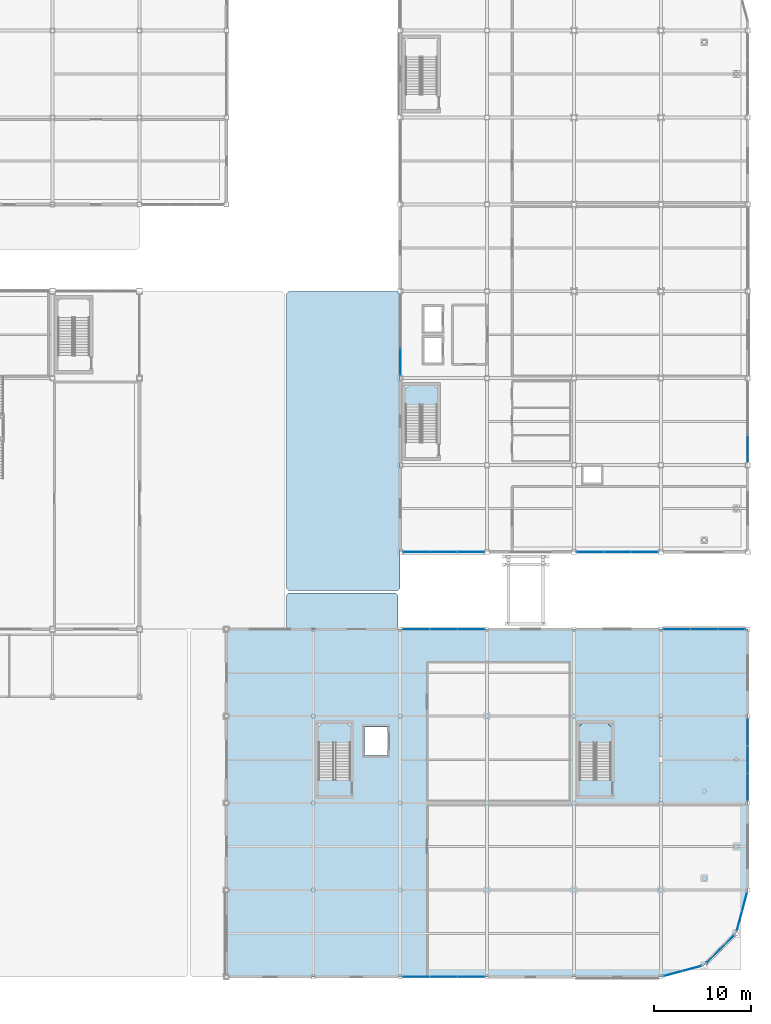
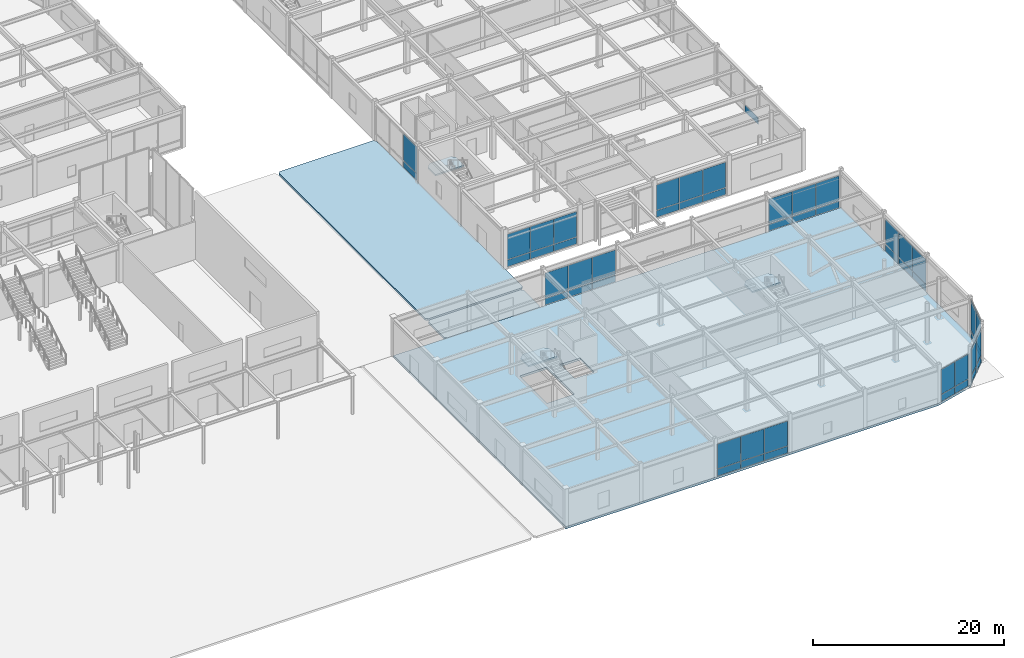
# One storey, part 69 of 123: 51 plates, 6 slabs, 14 elements without a shape of their own.
"""IFC4 building model written with IfcOpenShell, lengths in metres."""

from ifc_helpers import new_model, si_unit, direction, frame, origin, origin_2d, place, context, subcontext, project, spatial, polyline, rectangle, outline, extrude, material, layer, layer_set, type_object, element, aggregate, save


model = new_model("IFC4")

# Units and contexts
model_context = context("Model", 3, precision=1e-05, world=origin(), true_north=direction((0.0, 1.0)))
body_context = subcontext(model_context, "Body", "Model", "MODEL_VIEW")
ifc_project = project(units=[si_unit("LENGTHUNIT", "METRE"), si_unit("AREAUNIT", "SQUARE_METRE"), si_unit("VOLUMEUNIT", "CUBIC_METRE"), si_unit("PLANEANGLEUNIT", "RADIAN"), si_unit("MASSUNIT", "GRAM", prefix="KILO")], contexts=[model_context])

# Site, building, storey
site_placement = place(None, origin())
site = spatial("IfcSite", under=ifc_project, at=site_placement, CompositionType="ELEMENT")
building_placement = place(site_placement, origin())
building = spatial("IfcBuilding", under=site, at=building_placement, Name="Suzunagisa Mobility Hub", CompositionType="ELEMENT")
storey_placement = place(building_placement, origin())
storey = spatial("IfcBuildingStorey", under=building, at=storey_placement, Name="L00", CompositionType="ELEMENT", Elevation=0.0)

# Slabs
ifc_material_1 = material(Name="Concrete C35/45", Category="concrete")
ifc_layer_1 = layer(ifc_material_1, 0.2451171875)
ifc_layer_set_1 = layer_set([ifc_layer_1], Name="Concrete C35/45")
slab_type_1 = type_object("IfcSlabType", Name="Composite Slab SL-07 245mm", PredefinedType="FLOOR", material=ifc_layer_set_1)
slab_1_placement = place(storey_placement, frame((0.0, 0.0, -0.2451171875)))
element("IfcSlab", 1, at=slab_1_placement, inside=storey, type_object=slab_type_1, Name="L00 V6S North Exit Threshold Apron", PredefinedType="FLOOR", context=body_context, shape_type="SweptSolid", body=[
    extrude(outline(polyline([(132.489990234375, 36.0), (143.510009765625, 36.0), (143.760009765625, 36.25), (143.760009765625, 39.510009765625), (143.510009765625, 39.760009765625), (132.489990234375, 39.760009765625), (132.239990234375, 39.510009765625), (132.239990234375, 36.25), (132.489990234375, 36.0)])), origin(), (0.0, 0.0, 1.0), 0.2451171875),
])
slab_2_placement = place(storey_placement, frame((0.0, 0.0, -0.2451171875)))
element("IfcSlab", 2, at=slab_2_placement, inside=storey, type_object=slab_type_1, Name="L00 V6N West Square Threshold Apron", PredefinedType="FLOOR", context=body_context, shape_type="SweptSolid", body=[
    extrude(outline(polyline([(132.489990234375, 40.0), (143.75, 40.0), (144.0, 40.25), (144.0, 70.75), (143.75, 71.0), (132.489990234375, 71.0), (132.239990234375, 70.75), (132.239990234375, 40.25), (132.489990234375, 40.0)])), origin(), (0.0, 0.0, 1.0), 0.2451171875),
])
ifc_layer_2 = layer(ifc_material_1, 0.280029296875)
ifc_layer_set_2 = layer_set([ifc_layer_2], Name="Concrete C35/45")
slab_type_2 = type_object("IfcSlabType", Name="Composite Slab SL-10 280mm", PredefinedType="FLOOR", material=ifc_layer_set_2)
slab_3_placement = place(storey_placement, frame((0.0, 0.0, -0.280029296875)))
element("IfcSlab", 3, at=slab_3_placement, inside=storey, type_object=slab_type_2, Name="L00 V6S Floor Slab", PredefinedType="FLOOR", context=body_context, shape_type="SweptSolid", body=[
    extrude(outline(polyline([(126.0, 0.0), (171.0, 0.0), (175.5, 1.205810546875), (178.794189453125, 4.5), (180.0, 9.0), (180.0, 36.0), (126.0, 36.0), (126.0, 0.0)]), holes=[polyline([(135.56005859375, 20.47998046875), (138.840087890625, 20.47998046875), (138.840087890625, 26.199951171875), (135.56005859375, 26.199951171875), (135.56005859375, 20.47998046875)]), polyline([(140.320068359375, 22.919921875), (142.679931640625, 22.919921875), (142.679931640625, 25.8798828125), (140.320068359375, 25.8798828125), (140.320068359375, 22.919921875)])]), origin(), (0.0, 0.0, 1.0), 0.280029296875),
])

# Stair, slab
stair_type_1 = type_object("IfcStairType", Name="Dog-Leg Core Escape Stair ST-09 W1560", PredefinedType="HALF_TURN_STAIR", material=ifc_material_1)
stair_1_placement = place(storey_placement, origin())
stair_1 = element("IfcStair", 4, at=stair_1_placement, inside=storey, type_object=stair_type_1, Name="L00 Core C7 Escape Stair ST-09", PredefinedType="HALF_TURN_STAIR")
ifc_layer_3 = layer(ifc_material_1, 0.199951171875)
ifc_layer_set_3 = layer_set([ifc_layer_3], Name="Concrete C35/45")
slab_type_3 = type_object("IfcSlabType", Name="Core Stair Half-Landing Slab SL-SLND", PredefinedType="LANDING", material=ifc_layer_set_3)
slab_4_placement = place(storey_placement, frame((0.0, 0.0, 2.35009765625)))
slab_4 = element("IfcSlab", 5, at=slab_4_placement, type_object=slab_type_3, Name="ST-09 landing 1", PredefinedType="LANDING", context=body_context, shape_type="SweptSolid", body=[
    extrude(outline(polyline([(135.4599609375, 24.199951171875), (138.93994140625, 24.199951171875), (138.93994140625, 25.820068359375), (138.4599609375, 26.300048828125), (135.93994140625, 26.300048828125), (135.4599609375, 25.820068359375), (135.4599609375, 24.199951171875)])), origin(), (0.0, 0.0, 1.0), 0.199951171875),
])
aggregate(stair_1, [slab_4])

stair_type_2 = type_object("IfcStairType", Name="Dog-Leg Core Escape Stair ST-10 W1560", PredefinedType="HALF_TURN_STAIR", material=ifc_material_1)
stair_2_placement = place(storey_placement, origin())
stair_2 = element("IfcStair", 6, at=stair_2_placement, inside=storey, type_object=stair_type_2, Name="L00 Core C7B Escape Stair ST-10", PredefinedType="HALF_TURN_STAIR")
slab_5_placement = place(storey_placement, frame((0.0, 0.0, 2.35009765625)))
slab_5 = element("IfcSlab", 7, at=slab_5_placement, type_object=slab_type_3, Name="ST-10 landing 1", PredefinedType="LANDING", context=body_context, shape_type="SweptSolid", body=[
    extrude(outline(polyline([(162.4599609375, 24.199951171875), (165.93994140625, 24.199951171875), (165.93994140625, 25.820068359375), (165.4599609375, 26.300048828125), (162.93994140625, 26.300048828125), (162.4599609375, 25.820068359375), (162.4599609375, 24.199951171875)])), origin(), (0.0, 0.0, 1.0), 0.199951171875),
])
aggregate(stair_2, [slab_5])

stair_type_3 = type_object("IfcStairType", Name="Dog-Leg Core Escape Stair ST-11 W1560", PredefinedType="HALF_TURN_STAIR", material=ifc_material_1)
stair_3_placement = place(storey_placement, origin())
stair_3 = element("IfcStair", 8, at=stair_3_placement, inside=storey, type_object=stair_type_3, Name="L00 Core C5 Escape Stair ST-11", PredefinedType="HALF_TURN_STAIR")
slab_6_placement = place(storey_placement, frame((0.0, 0.0, 2.35009765625)))
slab_6 = element("IfcSlab", 9, at=slab_6_placement, type_object=slab_type_3, Name="ST-11 landing 1", PredefinedType="LANDING", context=body_context, shape_type="SweptSolid", body=[
    extrude(outline(polyline([(144.4599609375, 59.199951171875), (147.93994140625, 59.199951171875), (147.93994140625, 60.820068359375), (147.4599609375, 61.300048828125), (144.93994140625, 61.300048828125), (144.4599609375, 60.820068359375), (144.4599609375, 59.199951171875)])), origin(), (0.0, 0.0, 1.0), 0.199951171875),
])
aggregate(stair_3, [slab_6])

# Curtain wall, plates
ifc_material_2 = material(Name="Thermally Broken Anodized Aluminum and Low-E Glazing", Category="aluminium")
curtain_wall_type_1 = type_object("IfcCurtainWallType", Name="Unitised Curtain Wall CW-32 8500x4200", PredefinedType="USERDEFINED", material=ifc_material_2)
curtain_wall_1_placement = place(storey_placement, origin())
curtain_wall_1 = element("IfcCurtainWall", 10, at=curtain_wall_1_placement, inside=storey, type_object=curtain_wall_type_1, Name="L00 Unitised Curtain Wall CW-142", ObjectType="UNITISED CURTAIN WALL", PredefinedType="USERDEFINED")
ifc_material_3 = material(Name="Low-E Solar-Control Double Glazing", Category="glass")
ifc_layer_4 = layer(ifc_material_3, 0.028076171875)
ifc_layer_set_4 = layer_set([ifc_layer_4], Name="Low-E Solar-Control Double Glazing")
plate_type = type_object("IfcPlateType", Name="Low-E Double Glazed Curtain Panel GP-01 28mm", PredefinedType="CURTAIN_PANEL", material=ifc_layer_set_4)
plate_1_placement = place(storey_placement, frame((145.649658203125, 0.0, 0.06298828125), z_axis=(0.0, 0.0, 1.0), x_axis=(1.0, 0.0, 0.0)))
plate_1 = element("IfcPlate", 11, at=plate_1_placement, type_object=plate_type, Name="Curtain Wall Glazing Panel 142-P1.1", PredefinedType="CURTAIN_PANEL", context=body_context, shape_type="SweptSolid", body=[
    extrude(rectangle(XDim=2.773193359375, YDim=0.028076171875, at=origin_2d()), origin(), (0.0, 0.0, 1.0), 0.8564453125),
])
plate_2_placement = place(storey_placement, frame((145.649658203125, 0.0, 0.98046875), z_axis=(0.0, 0.0, 1.0), x_axis=(1.0, 0.0, 0.0)))
plate_2 = element("IfcPlate", 12, at=plate_2_placement, type_object=plate_type, Name="Curtain Wall Glazing Panel 142-P1.2", PredefinedType="CURTAIN_PANEL", context=body_context, shape_type="SweptSolid", body=[
    extrude(rectangle(XDim=2.773193359375, YDim=0.028076171875, at=origin_2d()), origin(), (0.0, 0.0, 1.0), 3.146484375),
])
plate_3_placement = place(storey_placement, frame((148.5, 0.0, 0.06298828125), z_axis=(0.0, 0.0, 1.0), x_axis=(1.0, 0.0, 0.0)))
plate_3 = element("IfcPlate", 13, at=plate_3_placement, type_object=plate_type, Name="Curtain Wall Glazing Panel 142-P2.1", PredefinedType="CURTAIN_PANEL", context=body_context, shape_type="SweptSolid", body=[
    extrude(rectangle(XDim=2.8056640625, YDim=0.028076171875, at=origin_2d()), origin(), (0.0, 0.0, 1.0), 0.8564453125),
])
plate_4_placement = place(storey_placement, frame((148.5, 0.0, 0.98046875), z_axis=(0.0, 0.0, 1.0), x_axis=(1.0, 0.0, 0.0)))
plate_4 = element("IfcPlate", 14, at=plate_4_placement, type_object=plate_type, Name="Curtain Wall Glazing Panel 142-P2.2", PredefinedType="CURTAIN_PANEL", context=body_context, shape_type="SweptSolid", body=[
    extrude(rectangle(XDim=2.8056640625, YDim=0.028076171875, at=origin_2d()), origin(), (0.0, 0.0, 1.0), 3.146484375),
])
plate_5_placement = place(storey_placement, frame((151.350341796875, 0.0, 0.06298828125), z_axis=(0.0, 0.0, 1.0), x_axis=(1.0, 0.0, 0.0)))
plate_5 = element("IfcPlate", 15, at=plate_5_placement, type_object=plate_type, Name="Curtain Wall Glazing Panel 142-P3.1", PredefinedType="CURTAIN_PANEL", context=body_context, shape_type="SweptSolid", body=[
    extrude(rectangle(XDim=2.773193359375, YDim=0.028076171875, at=origin_2d()), origin(), (0.0, 0.0, 1.0), 0.8564453125),
])
plate_6_placement = place(storey_placement, frame((151.350341796875, 0.0, 0.98046875), z_axis=(0.0, 0.0, 1.0), x_axis=(1.0, 0.0, 0.0)))
plate_6 = element("IfcPlate", 16, at=plate_6_placement, type_object=plate_type, Name="Curtain Wall Glazing Panel 142-P3.2", PredefinedType="CURTAIN_PANEL", context=body_context, shape_type="SweptSolid", body=[
    extrude(rectangle(XDim=2.773193359375, YDim=0.028076171875, at=origin_2d()), origin(), (0.0, 0.0, 1.0), 3.146484375),
])
aggregate(curtain_wall_1, [plate_1, plate_2, plate_3, plate_4, plate_5, plate_6])

curtain_wall_type_2 = type_object("IfcCurtainWallType", Name="Unitised Curtain Wall CW-37 4250x4200", PredefinedType="USERDEFINED", material=ifc_material_2)
curtain_wall_2_placement = place(storey_placement, origin())
curtain_wall_2 = element("IfcCurtainWall", 17, at=curtain_wall_2_placement, inside=storey, type_object=curtain_wall_type_2, Name="L00 Unitised Curtain Wall CW-143", ObjectType="UNITISED CURTAIN WALL", PredefinedType="USERDEFINED")
plate_7_placement = place(storey_placement, frame((172.25048828125, 0.335205078125, 0.05810546875), z_axis=(0.0, 0.0, 1.0), x_axis=(0.965927103862, 0.258814277087, 0.0)))
plate_7 = element("IfcPlate", 18, at=plate_7_placement, type_object=plate_type, Name="Curtain Wall Glazing Panel 143-P1.1", PredefinedType="CURTAIN_PANEL", context=body_context, shape_type="SweptSolid", body=[
    extrude(rectangle(XDim=1.973388671875, YDim=0.028076171875, at=origin_2d()), origin(), (0.0, 0.0, 1.0), 0.864013671875),
])
plate_8_placement = place(storey_placement, frame((172.25048828125, 0.335205078125, 0.97802734375), z_axis=(0.0, 0.0, 1.0), x_axis=(0.965927103862, 0.258814277087, 0.0)))
plate_8 = element("IfcPlate", 19, at=plate_8_placement, type_object=plate_type, Name="Curtain Wall Glazing Panel 143-P1.2", PredefinedType="CURTAIN_PANEL", context=body_context, shape_type="SweptSolid", body=[
    extrude(rectangle(XDim=1.973388671875, YDim=0.028076171875, at=origin_2d()), origin(), (0.0, 0.0, 1.0), 3.154052734375),
])
plate_9_placement = place(storey_placement, frame((174.2158203125, 0.86181640625, 0.05810546875), z_axis=(0.0, 0.0, 1.0), x_axis=(0.965927103862, 0.258814277087, 0.0)))
plate_9 = element("IfcPlate", 20, at=plate_9_placement, type_object=plate_type, Name="Curtain Wall Glazing Panel 143-P2.1", PredefinedType="CURTAIN_PANEL", context=body_context, shape_type="SweptSolid", body=[
    extrude(rectangle(XDim=1.973388671875, YDim=0.028076171875, at=origin_2d()), origin(), (0.0, 0.0, 1.0), 0.864013671875),
])
plate_10_placement = place(storey_placement, frame((174.2158203125, 0.86181640625, 0.97802734375), z_axis=(0.0, 0.0, 1.0), x_axis=(0.965927103862, 0.258814277087, 0.0)))
plate_10 = element("IfcPlate", 21, at=plate_10_placement, type_object=plate_type, Name="Curtain Wall Glazing Panel 143-P2.2", PredefinedType="CURTAIN_PANEL", context=body_context, shape_type="SweptSolid", body=[
    extrude(rectangle(XDim=1.973388671875, YDim=0.028076171875, at=origin_2d()), origin(), (0.0, 0.0, 1.0), 3.154052734375),
])
aggregate(curtain_wall_2, [plate_7, plate_8, plate_9, plate_10])

curtain_wall_type_3 = type_object("IfcCurtainWallType", Name="Unitised Curtain Wall CW-26 4000x4400", PredefinedType="USERDEFINED", material=ifc_material_2)
curtain_wall_3_placement = place(storey_placement, origin())
curtain_wall_3 = element("IfcCurtainWall", 22, at=curtain_wall_3_placement, inside=storey, type_object=curtain_wall_type_3, Name="L00 Unitised Curtain Wall CW-144", ObjectType="UNITISED CURTAIN WALL", PredefinedType="USERDEFINED")
plate_11_placement = place(storey_placement, frame((176.449462890625, 2.1552734375, 0.05810546875), z_axis=(0.0, 0.0, 1.0), x_axis=(0.707106781187, 0.707106781187, 0.0)))
plate_11 = element("IfcPlate", 23, at=plate_11_placement, type_object=plate_type, Name="Curtain Wall Glazing Panel 144-P1.1", PredefinedType="CURTAIN_PANEL", context=body_context, shape_type="SweptSolid", body=[
    extrude(rectangle(XDim=1.91259765625, YDim=0.028076171875, at=origin_2d()), origin(), (0.0, 0.0, 1.0), 0.864013671875),
])
plate_12_placement = place(storey_placement, frame((176.449462890625, 2.1552734375, 0.97802734375), z_axis=(0.0, 0.0, 1.0), x_axis=(0.707106781187, 0.707106781187, 0.0)))
plate_12 = element("IfcPlate", 24, at=plate_12_placement, type_object=plate_type, Name="Curtain Wall Glazing Panel 144-P1.2", PredefinedType="CURTAIN_PANEL", context=body_context, shape_type="SweptSolid", body=[
    extrude(rectangle(XDim=1.91259765625, YDim=0.028076171875, at=origin_2d()), origin(), (0.0, 0.0, 1.0), 3.404052734375),
])
plate_13_placement = place(storey_placement, frame((177.844970703125, 3.55078125, 0.05810546875), z_axis=(0.0, 0.0, 1.0), x_axis=(0.707106781187, 0.707106781187, 0.0)))
plate_13 = element("IfcPlate", 25, at=plate_13_placement, type_object=plate_type, Name="Curtain Wall Glazing Panel 144-P2.1", PredefinedType="CURTAIN_PANEL", context=body_context, shape_type="SweptSolid", body=[
    extrude(rectangle(XDim=1.91259765625, YDim=0.028076171875, at=origin_2d()), origin(), (0.0, 0.0, 1.0), 0.864013671875),
])
plate_14_placement = place(storey_placement, frame((177.844970703125, 3.55078125, 0.97802734375), z_axis=(0.0, 0.0, 1.0), x_axis=(0.707106781187, 0.707106781187, 0.0)))
plate_14 = element("IfcPlate", 26, at=plate_14_placement, type_object=plate_type, Name="Curtain Wall Glazing Panel 144-P2.2", PredefinedType="CURTAIN_PANEL", context=body_context, shape_type="SweptSolid", body=[
    extrude(rectangle(XDim=1.91259765625, YDim=0.028076171875, at=origin_2d()), origin(), (0.0, 0.0, 1.0), 3.404052734375),
])
aggregate(curtain_wall_3, [plate_11, plate_12, plate_13, plate_14])

curtain_wall_type_4 = type_object("IfcCurtainWallType", Name="Unitised Curtain Wall CW-46 4250x4800", PredefinedType="USERDEFINED", material=ifc_material_2)
curtain_wall_4_placement = place(storey_placement, origin())
curtain_wall_4 = element("IfcCurtainWall", 27, at=curtain_wall_4_placement, inside=storey, type_object=curtain_wall_type_4, Name="L00 Unitised Curtain Wall CW-145", ObjectType="UNITISED CURTAIN WALL", PredefinedType="USERDEFINED")
plate_15_placement = place(storey_placement, frame((179.138427734375, 5.7841796875, 0.05810546875), z_axis=(0.0, 0.0, 1.0), x_axis=(0.258814277087, 0.965927103862, 0.0)))
plate_15 = element("IfcPlate", 28, at=plate_15_placement, type_object=plate_type, Name="Curtain Wall Glazing Panel 145-P1.1", PredefinedType="CURTAIN_PANEL", context=body_context, shape_type="SweptSolid", body=[
    extrude(rectangle(XDim=1.973388671875, YDim=0.028076171875, at=origin_2d()), origin(), (0.0, 0.0, 1.0), 0.864013671875),
])
plate_16_placement = place(storey_placement, frame((179.138427734375, 5.7841796875, 0.97802734375), z_axis=(0.0, 0.0, 1.0), x_axis=(0.258814277087, 0.965927103862, 0.0)))
plate_16 = element("IfcPlate", 29, at=plate_16_placement, type_object=plate_type, Name="Curtain Wall Glazing Panel 145-P1.2", PredefinedType="CURTAIN_PANEL", context=body_context, shape_type="SweptSolid", body=[
    extrude(rectangle(XDim=1.973388671875, YDim=0.028076171875, at=origin_2d()), origin(), (0.0, 0.0, 1.0), 3.803955078125),
])
plate_17_placement = place(storey_placement, frame((179.6650390625, 7.74951171875, 0.05810546875), z_axis=(0.0, 0.0, 1.0), x_axis=(0.258814277087, 0.965927103862, 0.0)))
plate_17 = element("IfcPlate", 30, at=plate_17_placement, type_object=plate_type, Name="Curtain Wall Glazing Panel 145-P2.1", PredefinedType="CURTAIN_PANEL", context=body_context, shape_type="SweptSolid", body=[
    extrude(rectangle(XDim=1.973388671875, YDim=0.028076171875, at=origin_2d()), origin(), (0.0, 0.0, 1.0), 0.864013671875),
])
plate_18_placement = place(storey_placement, frame((179.6650390625, 7.74951171875, 0.97802734375), z_axis=(0.0, 0.0, 1.0), x_axis=(0.258814277087, 0.965927103862, 0.0)))
plate_18 = element("IfcPlate", 31, at=plate_18_placement, type_object=plate_type, Name="Curtain Wall Glazing Panel 145-P2.2", PredefinedType="CURTAIN_PANEL", context=body_context, shape_type="SweptSolid", body=[
    extrude(rectangle(XDim=1.973388671875, YDim=0.028076171875, at=origin_2d()), origin(), (0.0, 0.0, 1.0), 3.803955078125),
])
aggregate(curtain_wall_4, [plate_15, plate_16, plate_17, plate_18])

curtain_wall_5_placement = place(storey_placement, origin())
curtain_wall_5 = element("IfcCurtainWall", 32, at=curtain_wall_5_placement, inside=storey, type_object=curtain_wall_type_1, Name="L00 Unitised Curtain Wall CW-146", ObjectType="UNITISED CURTAIN WALL", PredefinedType="USERDEFINED")
plate_19_placement = place(storey_placement, frame((180.0, 19.649658203125, 0.06298828125), z_axis=(0.0, 0.0, 1.0), x_axis=(0.0, 1.0, 0.0)))
plate_19 = element("IfcPlate", 33, at=plate_19_placement, type_object=plate_type, Name="Curtain Wall Glazing Panel 146-P1.1", PredefinedType="CURTAIN_PANEL", context=body_context, shape_type="SweptSolid", body=[
    extrude(rectangle(XDim=2.773193359375, YDim=0.028076171875, at=origin_2d()), origin(), (0.0, 0.0, 1.0), 0.8564453125),
])
plate_20_placement = place(storey_placement, frame((180.0, 19.649658203125, 0.98046875), z_axis=(0.0, 0.0, 1.0), x_axis=(0.0, 1.0, 0.0)))
plate_20 = element("IfcPlate", 34, at=plate_20_placement, type_object=plate_type, Name="Curtain Wall Glazing Panel 146-P1.2", PredefinedType="CURTAIN_PANEL", context=body_context, shape_type="SweptSolid", body=[
    extrude(rectangle(XDim=2.773193359375, YDim=0.028076171875, at=origin_2d()), origin(), (0.0, 0.0, 1.0), 3.146484375),
])
plate_21_placement = place(storey_placement, frame((180.0, 22.5, 0.06298828125), z_axis=(0.0, 0.0, 1.0), x_axis=(0.0, 1.0, 0.0)))
plate_21 = element("IfcPlate", 35, at=plate_21_placement, type_object=plate_type, Name="Curtain Wall Glazing Panel 146-P2.1", PredefinedType="CURTAIN_PANEL", context=body_context, shape_type="SweptSolid", body=[
    extrude(rectangle(XDim=2.8056640625, YDim=0.028076171875, at=origin_2d()), origin(), (0.0, 0.0, 1.0), 0.8564453125),
])
plate_22_placement = place(storey_placement, frame((180.0, 22.5, 0.98046875), z_axis=(0.0, 0.0, 1.0), x_axis=(0.0, 1.0, 0.0)))
plate_22 = element("IfcPlate", 36, at=plate_22_placement, type_object=plate_type, Name="Curtain Wall Glazing Panel 146-P2.2", PredefinedType="CURTAIN_PANEL", context=body_context, shape_type="SweptSolid", body=[
    extrude(rectangle(XDim=2.8056640625, YDim=0.028076171875, at=origin_2d()), origin(), (0.0, 0.0, 1.0), 3.146484375),
])
plate_23_placement = place(storey_placement, frame((180.0, 25.350341796875, 0.06298828125), z_axis=(0.0, 0.0, 1.0), x_axis=(0.0, 1.0, 0.0)))
plate_23 = element("IfcPlate", 37, at=plate_23_placement, type_object=plate_type, Name="Curtain Wall Glazing Panel 146-P3.1", PredefinedType="CURTAIN_PANEL", context=body_context, shape_type="SweptSolid", body=[
    extrude(rectangle(XDim=2.773193359375, YDim=0.028076171875, at=origin_2d()), origin(), (0.0, 0.0, 1.0), 0.8564453125),
])
plate_24_placement = place(storey_placement, frame((180.0, 25.350341796875, 0.98046875), z_axis=(0.0, 0.0, 1.0), x_axis=(0.0, 1.0, 0.0)))
plate_24 = element("IfcPlate", 38, at=plate_24_placement, type_object=plate_type, Name="Curtain Wall Glazing Panel 146-P3.2", PredefinedType="CURTAIN_PANEL", context=body_context, shape_type="SweptSolid", body=[
    extrude(rectangle(XDim=2.773193359375, YDim=0.028076171875, at=origin_2d()), origin(), (0.0, 0.0, 1.0), 3.146484375),
])
aggregate(curtain_wall_5, [plate_19, plate_20, plate_21, plate_22, plate_23, plate_24])

curtain_wall_6_placement = place(storey_placement, origin())
curtain_wall_6 = element("IfcCurtainWall", 39, at=curtain_wall_6_placement, inside=storey, type_object=curtain_wall_type_1, Name="L00 Unitised Curtain Wall CW-147", ObjectType="UNITISED CURTAIN WALL", PredefinedType="USERDEFINED")
plate_25_placement = place(storey_placement, frame((178.350341796875, 36.0, 0.06298828125), z_axis=(0.0, 0.0, 1.0), x_axis=(-1.0, 0.0, 0.0)))
plate_25 = element("IfcPlate", 40, at=plate_25_placement, type_object=plate_type, Name="Curtain Wall Glazing Panel 147-P1.1", PredefinedType="CURTAIN_PANEL", context=body_context, shape_type="SweptSolid", body=[
    extrude(rectangle(XDim=2.773193359375, YDim=0.028076171875, at=origin_2d()), origin(), (0.0, 0.0, 1.0), 0.8564453125),
])
plate_26_placement = place(storey_placement, frame((178.350341796875, 36.0, 0.98046875), z_axis=(0.0, 0.0, 1.0), x_axis=(-1.0, 0.0, 0.0)))
plate_26 = element("IfcPlate", 41, at=plate_26_placement, type_object=plate_type, Name="Curtain Wall Glazing Panel 147-P1.2", PredefinedType="CURTAIN_PANEL", context=body_context, shape_type="SweptSolid", body=[
    extrude(rectangle(XDim=2.773193359375, YDim=0.028076171875, at=origin_2d()), origin(), (0.0, 0.0, 1.0), 3.146484375),
])
plate_27_placement = place(storey_placement, frame((175.5, 36.0, 0.06298828125), z_axis=(0.0, 0.0, 1.0), x_axis=(-1.0, 0.0, 0.0)))
plate_27 = element("IfcPlate", 42, at=plate_27_placement, type_object=plate_type, Name="Curtain Wall Glazing Panel 147-P2.1", PredefinedType="CURTAIN_PANEL", context=body_context, shape_type="SweptSolid", body=[
    extrude(rectangle(XDim=2.8056640625, YDim=0.028076171875, at=origin_2d()), origin(), (0.0, 0.0, 1.0), 0.8564453125),
])
plate_28_placement = place(storey_placement, frame((175.5, 36.0, 0.98046875), z_axis=(0.0, 0.0, 1.0), x_axis=(-1.0, 0.0, 0.0)))
plate_28 = element("IfcPlate", 43, at=plate_28_placement, type_object=plate_type, Name="Curtain Wall Glazing Panel 147-P2.2", PredefinedType="CURTAIN_PANEL", context=body_context, shape_type="SweptSolid", body=[
    extrude(rectangle(XDim=2.8056640625, YDim=0.028076171875, at=origin_2d()), origin(), (0.0, 0.0, 1.0), 3.146484375),
])
plate_29_placement = place(storey_placement, frame((172.649658203125, 36.0, 0.06298828125), z_axis=(0.0, 0.0, 1.0), x_axis=(-1.0, 0.0, 0.0)))
plate_29 = element("IfcPlate", 44, at=plate_29_placement, type_object=plate_type, Name="Curtain Wall Glazing Panel 147-P3.1", PredefinedType="CURTAIN_PANEL", context=body_context, shape_type="SweptSolid", body=[
    extrude(rectangle(XDim=2.773193359375, YDim=0.028076171875, at=origin_2d()), origin(), (0.0, 0.0, 1.0), 0.8564453125),
])
plate_30_placement = place(storey_placement, frame((172.649658203125, 36.0, 0.98046875), z_axis=(0.0, 0.0, 1.0), x_axis=(-1.0, 0.0, 0.0)))
plate_30 = element("IfcPlate", 45, at=plate_30_placement, type_object=plate_type, Name="Curtain Wall Glazing Panel 147-P3.2", PredefinedType="CURTAIN_PANEL", context=body_context, shape_type="SweptSolid", body=[
    extrude(rectangle(XDim=2.773193359375, YDim=0.028076171875, at=origin_2d()), origin(), (0.0, 0.0, 1.0), 3.146484375),
])
aggregate(curtain_wall_6, [plate_25, plate_26, plate_27, plate_28, plate_29, plate_30])

curtain_wall_7_placement = place(storey_placement, origin())
curtain_wall_7 = element("IfcCurtainWall", 46, at=curtain_wall_7_placement, inside=storey, type_object=curtain_wall_type_1, Name="L00 Unitised Curtain Wall CW-148", ObjectType="UNITISED CURTAIN WALL", PredefinedType="USERDEFINED")
plate_31_placement = place(storey_placement, frame((151.350341796875, 36.0, 0.06298828125), z_axis=(0.0, 0.0, 1.0), x_axis=(-1.0, 0.0, 0.0)))
plate_31 = element("IfcPlate", 47, at=plate_31_placement, type_object=plate_type, Name="Curtain Wall Glazing Panel 148-P1.1", PredefinedType="CURTAIN_PANEL", context=body_context, shape_type="SweptSolid", body=[
    extrude(rectangle(XDim=2.773193359375, YDim=0.028076171875, at=origin_2d()), origin(), (0.0, 0.0, 1.0), 0.8564453125),
])
plate_32_placement = place(storey_placement, frame((151.350341796875, 36.0, 0.98046875), z_axis=(0.0, 0.0, 1.0), x_axis=(-1.0, 0.0, 0.0)))
plate_32 = element("IfcPlate", 48, at=plate_32_placement, type_object=plate_type, Name="Curtain Wall Glazing Panel 148-P1.2", PredefinedType="CURTAIN_PANEL", context=body_context, shape_type="SweptSolid", body=[
    extrude(rectangle(XDim=2.773193359375, YDim=0.028076171875, at=origin_2d()), origin(), (0.0, 0.0, 1.0), 3.146484375),
])
plate_33_placement = place(storey_placement, frame((148.5, 36.0, 0.06298828125), z_axis=(0.0, 0.0, 1.0), x_axis=(-1.0, 0.0, 0.0)))
plate_33 = element("IfcPlate", 49, at=plate_33_placement, type_object=plate_type, Name="Curtain Wall Glazing Panel 148-P2.1", PredefinedType="CURTAIN_PANEL", context=body_context, shape_type="SweptSolid", body=[
    extrude(rectangle(XDim=2.8056640625, YDim=0.028076171875, at=origin_2d()), origin(), (0.0, 0.0, 1.0), 0.8564453125),
])
plate_34_placement = place(storey_placement, frame((148.5, 36.0, 0.98046875), z_axis=(0.0, 0.0, 1.0), x_axis=(-1.0, 0.0, 0.0)))
plate_34 = element("IfcPlate", 50, at=plate_34_placement, type_object=plate_type, Name="Curtain Wall Glazing Panel 148-P2.2", PredefinedType="CURTAIN_PANEL", context=body_context, shape_type="SweptSolid", body=[
    extrude(rectangle(XDim=2.8056640625, YDim=0.028076171875, at=origin_2d()), origin(), (0.0, 0.0, 1.0), 3.146484375),
])
plate_35_placement = place(storey_placement, frame((145.649658203125, 36.0, 0.06298828125), z_axis=(0.0, 0.0, 1.0), x_axis=(-1.0, 0.0, 0.0)))
plate_35 = element("IfcPlate", 51, at=plate_35_placement, type_object=plate_type, Name="Curtain Wall Glazing Panel 148-P3.1", PredefinedType="CURTAIN_PANEL", context=body_context, shape_type="SweptSolid", body=[
    extrude(rectangle(XDim=2.773193359375, YDim=0.028076171875, at=origin_2d()), origin(), (0.0, 0.0, 1.0), 0.8564453125),
])
plate_36_placement = place(storey_placement, frame((145.649658203125, 36.0, 0.98046875), z_axis=(0.0, 0.0, 1.0), x_axis=(-1.0, 0.0, 0.0)))
plate_36 = element("IfcPlate", 52, at=plate_36_placement, type_object=plate_type, Name="Curtain Wall Glazing Panel 148-P3.2", PredefinedType="CURTAIN_PANEL", context=body_context, shape_type="SweptSolid", body=[
    extrude(rectangle(XDim=2.773193359375, YDim=0.028076171875, at=origin_2d()), origin(), (0.0, 0.0, 1.0), 3.146484375),
])
aggregate(curtain_wall_7, [plate_31, plate_32, plate_33, plate_34, plate_35, plate_36])

curtain_wall_type_5 = type_object("IfcCurtainWallType", Name="Unitised Curtain Wall CW-21 8500x4300", PredefinedType="USERDEFINED", material=ifc_material_2)
curtain_wall_8_placement = place(storey_placement, origin())
curtain_wall_8 = element("IfcCurtainWall", 53, at=curtain_wall_8_placement, inside=storey, type_object=curtain_wall_type_5, Name="L00 Unitised Curtain Wall CW-171", ObjectType="UNITISED CURTAIN WALL", PredefinedType="USERDEFINED")
plate_37_placement = place(storey_placement, frame((145.682861328125, 44.0, 0.06298828125), z_axis=(0.0, 0.0, 1.0), x_axis=(1.0, 0.0, 0.0)))
plate_37 = element("IfcPlate", 54, at=plate_37_placement, type_object=plate_type, Name="Curtain Wall Glazing Panel 171-P1.1", PredefinedType="CURTAIN_PANEL", context=body_context, shape_type="SweptSolid", body=[
    extrude(rectangle(XDim=2.73974609375, YDim=0.028076171875, at=origin_2d()), origin(), (0.0, 0.0, 1.0), 0.8564453125),
])
plate_38_placement = place(storey_placement, frame((145.682861328125, 44.0, 0.98046875), z_axis=(0.0, 0.0, 1.0), x_axis=(1.0, 0.0, 0.0)))
plate_38 = element("IfcPlate", 55, at=plate_38_placement, type_object=plate_type, Name="Curtain Wall Glazing Panel 171-P1.2", PredefinedType="CURTAIN_PANEL", context=body_context, shape_type="SweptSolid", body=[
    extrude(rectangle(XDim=2.73974609375, YDim=0.028076171875, at=origin_2d()), origin(), (0.0, 0.0, 1.0), 3.20849609375),
])
plate_39_placement = place(storey_placement, frame((148.5, 44.0, 0.06298828125), z_axis=(0.0, 0.0, 1.0), x_axis=(1.0, 0.0, 0.0)))
plate_39 = element("IfcPlate", 56, at=plate_39_placement, type_object=plate_type, Name="Curtain Wall Glazing Panel 171-P2.1", PredefinedType="CURTAIN_PANEL", context=body_context, shape_type="SweptSolid", body=[
    extrude(rectangle(XDim=2.7724609375, YDim=0.028076171875, at=origin_2d()), origin(), (0.0, 0.0, 1.0), 0.8564453125),
])
plate_40_placement = place(storey_placement, frame((148.5, 44.0, 0.98046875), z_axis=(0.0, 0.0, 1.0), x_axis=(1.0, 0.0, 0.0)))
plate_40 = element("IfcPlate", 57, at=plate_40_placement, type_object=plate_type, Name="Curtain Wall Glazing Panel 171-P2.2", PredefinedType="CURTAIN_PANEL", context=body_context, shape_type="SweptSolid", body=[
    extrude(rectangle(XDim=2.7724609375, YDim=0.028076171875, at=origin_2d()), origin(), (0.0, 0.0, 1.0), 3.20849609375),
])
plate_41_placement = place(storey_placement, frame((151.317138671875, 44.0, 0.06298828125), z_axis=(0.0, 0.0, 1.0), x_axis=(1.0, 0.0, 0.0)))
plate_41 = element("IfcPlate", 58, at=plate_41_placement, type_object=plate_type, Name="Curtain Wall Glazing Panel 171-P3.1", PredefinedType="CURTAIN_PANEL", context=body_context, shape_type="SweptSolid", body=[
    extrude(rectangle(XDim=2.73974609375, YDim=0.028076171875, at=origin_2d()), origin(), (0.0, 0.0, 1.0), 0.8564453125),
])
plate_42_placement = place(storey_placement, frame((151.317138671875, 44.0, 0.98046875), z_axis=(0.0, 0.0, 1.0), x_axis=(1.0, 0.0, 0.0)))
plate_42 = element("IfcPlate", 59, at=plate_42_placement, type_object=plate_type, Name="Curtain Wall Glazing Panel 171-P3.2", PredefinedType="CURTAIN_PANEL", context=body_context, shape_type="SweptSolid", body=[
    extrude(rectangle(XDim=2.73974609375, YDim=0.028076171875, at=origin_2d()), origin(), (0.0, 0.0, 1.0), 3.20849609375),
])
aggregate(curtain_wall_8, [plate_37, plate_38, plate_39, plate_40, plate_41, plate_42])

curtain_wall_9_placement = place(storey_placement, origin())
curtain_wall_9 = element("IfcCurtainWall", 60, at=curtain_wall_9_placement, inside=storey, type_object=curtain_wall_type_5, Name="L00 Unitised Curtain Wall CW-172", ObjectType="UNITISED CURTAIN WALL", PredefinedType="USERDEFINED")
plate_43_placement = place(storey_placement, frame((163.682861328125, 44.0, 0.06298828125), z_axis=(0.0, 0.0, 1.0), x_axis=(1.0, 0.0, 0.0)))
plate_43 = element("IfcPlate", 61, at=plate_43_placement, type_object=plate_type, Name="Curtain Wall Glazing Panel 172-P1.1", PredefinedType="CURTAIN_PANEL", context=body_context, shape_type="SweptSolid", body=[
    extrude(rectangle(XDim=2.73974609375, YDim=0.028076171875, at=origin_2d()), origin(), (0.0, 0.0, 1.0), 0.8564453125),
])
plate_44_placement = place(storey_placement, frame((163.682861328125, 44.0, 0.98046875), z_axis=(0.0, 0.0, 1.0), x_axis=(1.0, 0.0, 0.0)))
plate_44 = element("IfcPlate", 62, at=plate_44_placement, type_object=plate_type, Name="Curtain Wall Glazing Panel 172-P1.2", PredefinedType="CURTAIN_PANEL", context=body_context, shape_type="SweptSolid", body=[
    extrude(rectangle(XDim=2.73974609375, YDim=0.028076171875, at=origin_2d()), origin(), (0.0, 0.0, 1.0), 3.20849609375),
])
plate_45_placement = place(storey_placement, frame((166.5, 44.0, 0.06298828125), z_axis=(0.0, 0.0, 1.0), x_axis=(1.0, 0.0, 0.0)))
plate_45 = element("IfcPlate", 63, at=plate_45_placement, type_object=plate_type, Name="Curtain Wall Glazing Panel 172-P2.1", PredefinedType="CURTAIN_PANEL", context=body_context, shape_type="SweptSolid", body=[
    extrude(rectangle(XDim=2.7724609375, YDim=0.028076171875, at=origin_2d()), origin(), (0.0, 0.0, 1.0), 0.8564453125),
])
plate_46_placement = place(storey_placement, frame((166.5, 44.0, 0.98046875), z_axis=(0.0, 0.0, 1.0), x_axis=(1.0, 0.0, 0.0)))
plate_46 = element("IfcPlate", 64, at=plate_46_placement, type_object=plate_type, Name="Curtain Wall Glazing Panel 172-P2.2", PredefinedType="CURTAIN_PANEL", context=body_context, shape_type="SweptSolid", body=[
    extrude(rectangle(XDim=2.7724609375, YDim=0.028076171875, at=origin_2d()), origin(), (0.0, 0.0, 1.0), 3.20849609375),
])
plate_47_placement = place(storey_placement, frame((169.317138671875, 44.0, 0.06298828125), z_axis=(0.0, 0.0, 1.0), x_axis=(1.0, 0.0, 0.0)))
plate_47 = element("IfcPlate", 65, at=plate_47_placement, type_object=plate_type, Name="Curtain Wall Glazing Panel 172-P3.1", PredefinedType="CURTAIN_PANEL", context=body_context, shape_type="SweptSolid", body=[
    extrude(rectangle(XDim=2.73974609375, YDim=0.028076171875, at=origin_2d()), origin(), (0.0, 0.0, 1.0), 0.8564453125),
])
plate_48_placement = place(storey_placement, frame((169.317138671875, 44.0, 0.98046875), z_axis=(0.0, 0.0, 1.0), x_axis=(1.0, 0.0, 0.0)))
plate_48 = element("IfcPlate", 66, at=plate_48_placement, type_object=plate_type, Name="Curtain Wall Glazing Panel 172-P3.2", PredefinedType="CURTAIN_PANEL", context=body_context, shape_type="SweptSolid", body=[
    extrude(rectangle(XDim=2.73974609375, YDim=0.028076171875, at=origin_2d()), origin(), (0.0, 0.0, 1.0), 3.20849609375),
])
aggregate(curtain_wall_9, [plate_43, plate_44, plate_45, plate_46, plate_47, plate_48])

# Curtain wall, plate
curtain_wall_type_6 = type_object("IfcCurtainWallType", Name="Unitised Curtain Wall CW-47 8500x4400", PredefinedType="USERDEFINED", material=ifc_material_2)
curtain_wall_10_placement = place(storey_placement, origin())
curtain_wall_10 = element("IfcCurtainWall", 67, at=curtain_wall_10_placement, inside=storey, type_object=curtain_wall_type_6, Name="L00 Unitised Curtain Wall CW-173", ObjectType="UNITISED CURTAIN WALL", PredefinedType="USERDEFINED")
plate_49_placement = place(storey_placement, frame((180.0, 54.682861328125, 0.06298828125), z_axis=(0.0, 0.0, 1.0), x_axis=(0.0, 1.0, 0.0)))
plate_49 = element("IfcPlate", 68, at=plate_49_placement, type_object=plate_type, Name="Curtain Wall Glazing Panel 173-P1.1", PredefinedType="CURTAIN_PANEL", context=body_context, shape_type="SweptSolid", body=[
    extrude(rectangle(XDim=2.73974609375, YDim=0.028076171875, at=origin_2d()), origin(), (0.0, 0.0, 1.0), 0.8564453125),
])
aggregate(curtain_wall_10, [plate_49])

# Curtain wall, plates
curtain_wall_11_placement = place(storey_placement, origin())
curtain_wall_11 = element("IfcCurtainWall", 69, at=curtain_wall_11_placement, inside=storey, type_object=curtain_wall_type_6, Name="L00 Unitised Curtain Wall CW-182", ObjectType="UNITISED CURTAIN WALL", PredefinedType="USERDEFINED")
plate_50_placement = place(storey_placement, frame((144.0, 63.682861328125, 0.06298828125), z_axis=(0.0, 0.0, 1.0), x_axis=(0.0, -1.0, 0.0)))
plate_50 = element("IfcPlate", 70, at=plate_50_placement, type_object=plate_type, Name="Curtain Wall Glazing Panel 182-P3.1", PredefinedType="CURTAIN_PANEL", context=body_context, shape_type="SweptSolid", body=[
    extrude(rectangle(XDim=2.73974609375, YDim=0.028076171875, at=origin_2d()), origin(), (0.0, 0.0, 1.0), 0.8564453125),
])
plate_51_placement = place(storey_placement, frame((144.0, 63.682861328125, 0.98046875), z_axis=(0.0, 0.0, 1.0), x_axis=(0.0, -1.0, 0.0)))
plate_51 = element("IfcPlate", 71, at=plate_51_placement, type_object=plate_type, Name="Curtain Wall Glazing Panel 182-P3.2", PredefinedType="CURTAIN_PANEL", context=body_context, shape_type="SweptSolid", body=[
    extrude(rectangle(XDim=2.73974609375, YDim=0.028076171875, at=origin_2d()), origin(), (0.0, 0.0, 1.0), 3.406494140625),
])
aggregate(curtain_wall_11, [plate_50, plate_51])

save(model, "model.ifc")
